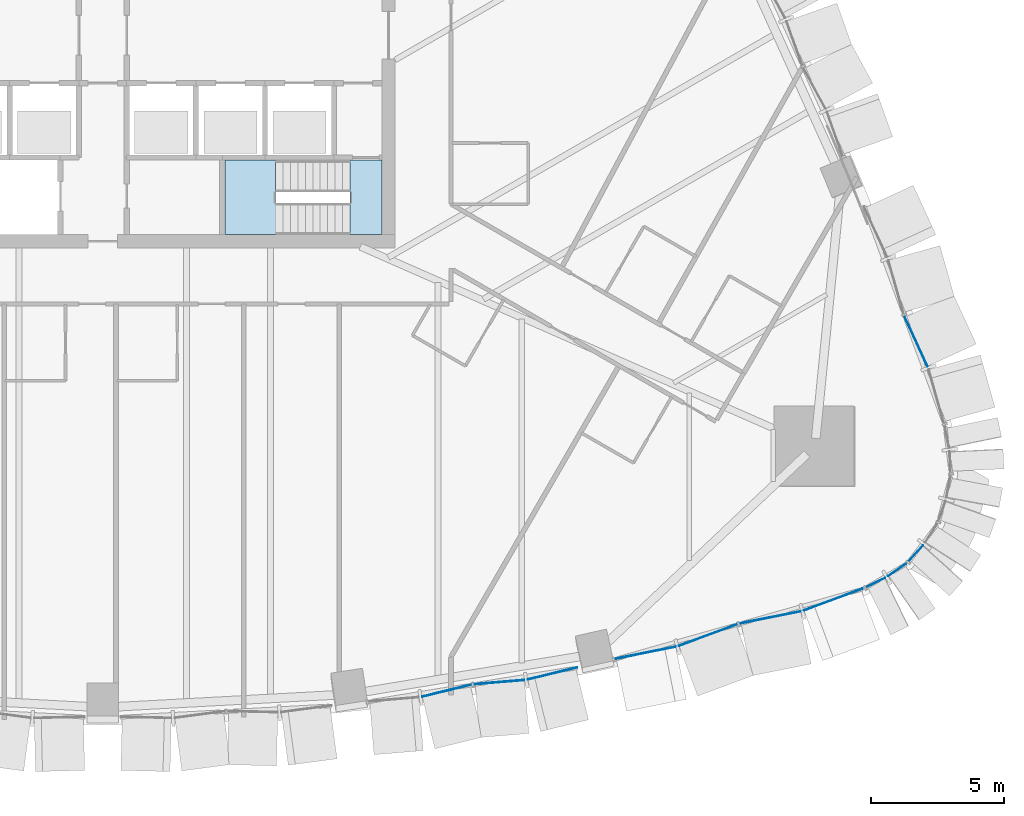
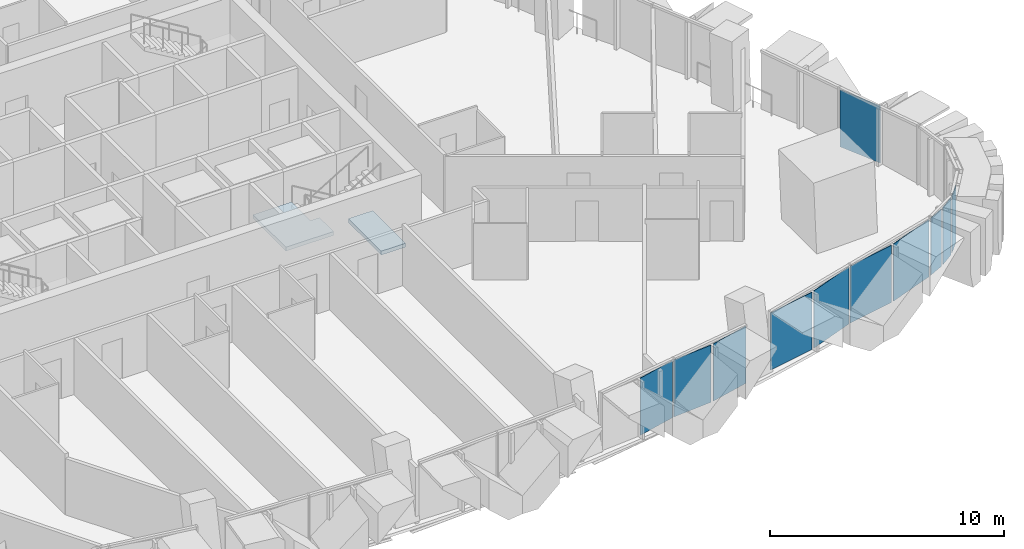
# One storey, part 10 of 22: 11 plates, 2 slabs, 6 elements without a shape of their own.
"""IFC4 building model written with IfcOpenShell, lengths in metres."""

from ifc_helpers import new_model, si_unit, direction, frame, origin, place, context, subcontext, project, spatial, polyline, outline, extrude, material, layer, layer_set, type_object, element, aggregate, save


model = new_model("IFC4")

# Units and contexts
model_context = context("Model", 3, precision=1e-05, world=origin(), true_north=direction((0.0, 1.0)))
body_context = subcontext(model_context, "Body", "Model", "MODEL_VIEW")
ifc_project = project(units=[si_unit("LENGTHUNIT", "METRE"), si_unit("AREAUNIT", "SQUARE_METRE"), si_unit("VOLUMEUNIT", "CUBIC_METRE"), si_unit("PLANEANGLEUNIT", "RADIAN"), si_unit("MASSUNIT", "GRAM", prefix="KILO")], contexts=[model_context])

# Site, building, storey
site_placement = place(None, origin())
site = spatial("IfcSite", under=ifc_project, at=site_placement, CompositionType="ELEMENT")
building_placement = place(site_placement, origin())
building = spatial("IfcBuilding", under=site, at=building_placement, Name="Sierra Prisma Convention Tower", CompositionType="ELEMENT")
storey_placement = place(building_placement, frame((0.0, 0.0, 62.800048828125)))
storey = spatial("IfcBuildingStorey", under=building, at=storey_placement, Name="L11", CompositionType="ELEMENT", Elevation=62.800048828125)

# Curtain wall, plates
ifc_material_1 = material(Name="Aluminium and glass curtain wall", Category="aluminium")
ifc_layer_1 = layer(ifc_material_1, 0.179931640625)
ifc_layer_set_1 = layer_set([ifc_layer_1], Name="CW-2 Faceted crystal curtain wall")
curtain_wall_type = type_object("IfcCurtainWallType", Name="CW-2 Faceted crystal curtain wall", PredefinedType="NOTDEFINED", material=ifc_layer_set_1)
curtain_wall_1_placement = place(storey_placement, origin())
curtain_wall_1 = element("IfcCurtainWall", 1, at=curtain_wall_1_placement, inside=storey, type_object=curtain_wall_type, Name="CW-2 S5 L11", PredefinedType="NOTDEFINED")
ifc_material_2 = material(Name="Tinted glass bronze-grey IGU", Category="glass")
ifc_layer_2 = layer(ifc_material_2, 0.028076171875)
ifc_layer_set_2 = layer_set([ifc_layer_2], Name="CW-2 crystal pane")
plate_type = type_object("IfcPlateType", Name="CW-2 crystal pane", PredefinedType="CURTAIN_PANEL", material=ifc_layer_set_2)
plate_1_placement = place(storey_placement, frame((13.882080078125, -24.438720703125, 0.0), z_axis=(0.23744241739, -0.971401615411, 0.0), x_axis=(-0.971401615411, -0.23744241739, 0.0)))
plate_1 = element("IfcPlate", 2, at=plate_1_placement, type_object=plate_type, Name="CW-2 pane S5.1.2", PredefinedType="CURTAIN_PANEL", context=body_context, shape_type="SweptSolid", body=[
    extrude(outline(polyline([(0.0, 0.0), (1.9186395221925834, 0.0), (1.9186395221925834, -2.97998046875), (0.0, -2.97998046875), (0.0, 0.0)])), origin(), (0.0, 0.0, -1.0), 0.028076171875),
])
plate_2_placement = place(storey_placement, frame((13.951171875, -24.427490234375, 0.0), z_axis=(0.082718987721, -0.996572912069, 0.0), x_axis=(0.996572912069, 0.082718987721, 0.0)))
plate_2 = element("IfcPlate", 3, at=plate_2_placement, type_object=plate_type, Name="CW-2 pane S5.2.1", PredefinedType="CURTAIN_PANEL", context=body_context, shape_type="SweptSolid", body=[
    extrude(outline(polyline([(0.0, 0.0), (1.9184398965902936, 0.0), (1.9184398965902936, 2.97998046875), (0.0, 2.97998046875), (0.0, 0.0)])), origin(), (0.0, 0.0, -1.0), 0.028076171875),
])
plate_3_placement = place(storey_placement, frame((17.854736328125, -23.79248046875, 0.0), z_axis=(0.23744241739, -0.971401615411, 0.0), x_axis=(-0.971401615411, -0.23744241739, 0.0)))
plate_3 = element("IfcPlate", 4, at=plate_3_placement, type_object=plate_type, Name="CW-2 pane S5.2.2", PredefinedType="CURTAIN_PANEL", context=body_context, shape_type="SweptSolid", body=[
    extrude(outline(polyline([(0.0, 0.0), (1.9186395221925834, 0.0), (1.9186395221925834, -2.97998046875), (0.0, -2.97998046875), (0.0, 0.0)])), origin(), (0.0, 0.0, -1.0), 0.028076171875),
])
aggregate(curtain_wall_1, [plate_1, plate_2, plate_3])

curtain_wall_2_placement = place(storey_placement, origin())
curtain_wall_2 = element("IfcCurtainWall", 5, at=curtain_wall_2_placement, inside=storey, type_object=curtain_wall_type, Name="CW-2 S6 L11", PredefinedType="NOTDEFINED")
plate_4_placement = place(storey_placement, frame((19.252197265625, -23.476318359375, 0.0), z_axis=(0.196295985228, -0.980544688519, 0.0), x_axis=(0.980544688519, 0.196295985228, 0.0)))
plate_4 = element("IfcPlate", 6, at=plate_4_placement, type_object=plate_type, Name="CW-2 pane S6.1.1", PredefinedType="CURTAIN_PANEL", context=body_context, shape_type="SweptSolid", body=[
    extrude(outline(polyline([(0.0, 0.0), (2.349419628164942, 0.0), (2.349419628164942, 2.97998046875), (0.0, 2.97998046875), (0.0, 0.0)])), origin(), (0.0, 0.0, -1.0), 0.028076171875),
])
plate_5_placement = place(storey_placement, frame((23.8837890625, -22.1640625, 0.0), z_axis=(0.347168825192, -0.937802648117, 0.0), x_axis=(-0.937802648117, -0.347168825192, 0.0)))
plate_5 = element("IfcPlate", 7, at=plate_5_placement, type_object=plate_type, Name="CW-2 pane S6.1.2", PredefinedType="CURTAIN_PANEL", context=body_context, shape_type="SweptSolid", body=[
    extrude(outline(polyline([(0.0, 0.0), (2.3495019395068915, 0.0), (2.3495019395068915, -2.9799804687500004), (0.0, -2.9799804687500004), (0.0, 0.0)])), origin(), (0.0, 0.0, -1.0), 0.028076171875),
])
plate_6_placement = place(storey_placement, frame((23.951171875, -22.14501953125, 0.0), z_axis=(0.196295985228, -0.980544688519, 0.0), x_axis=(0.980544688519, 0.196295985228, 0.0)))
plate_6 = element("IfcPlate", 8, at=plate_6_placement, type_object=plate_type, Name="CW-2 pane S6.2.1", PredefinedType="CURTAIN_PANEL", context=body_context, shape_type="SweptSolid", body=[
    extrude(outline(polyline([(0.0, 0.0), (2.349419628164942, 0.0), (2.349419628164942, 2.97998046875), (0.0, 2.97998046875), (0.0, 0.0)])), origin(), (0.0, 0.0, -1.0), 0.028076171875),
])
plate_7_placement = place(storey_placement, frame((28.582763671875, -20.832763671875, 0.0), z_axis=(0.347168825192, -0.937802648117, 0.0), x_axis=(-0.937802648117, -0.347168825192, 0.0)))
plate_7 = element("IfcPlate", 9, at=plate_7_placement, type_object=plate_type, Name="CW-2 pane S6.2.2", PredefinedType="CURTAIN_PANEL", context=body_context, shape_type="SweptSolid", body=[
    extrude(outline(polyline([(0.0, 0.0), (2.3495019395068915, 0.0), (2.3495019395068915, -2.9799804687500004), (0.0, -2.9799804687500004), (0.0, 0.0)])), origin(), (0.0, 0.0, -1.0), 0.028076171875),
])
aggregate(curtain_wall_2, [plate_4, plate_5, plate_6, plate_7])

curtain_wall_3_placement = place(storey_placement, origin())
curtain_wall_3 = element("IfcCurtainWall", 10, at=curtain_wall_3_placement, inside=storey, type_object=curtain_wall_type, Name="CW-2 SE1 L11", PredefinedType="NOTDEFINED")
plate_8_placement = place(storey_placement, frame((28.71044921875, -20.778076171875, 0.0), z_axis=(0.437202840872, -0.899362927818, 0.0), x_axis=(0.899362927818, 0.437202840872, 0.0)))
plate_8 = element("IfcPlate", 11, at=plate_8_placement, type_object=plate_type, Name="CW-2 pane SE1.1.1", PredefinedType="CURTAIN_PANEL", context=body_context, shape_type="SweptSolid", body=[
    extrude(outline(polyline([(0.0, 0.0), (0.8119354120438652, 0.0), (0.8119354120438652, 2.97998046875), (0.0, 2.97998046875), (0.0, 0.0)])), origin(), (0.0, 0.0, -1.0), 0.028076171875),
])
plate_9_placement = place(storey_placement, frame((30.21826171875, -19.892578125, 0.0), z_axis=(0.572473150502, -0.819923467132, 0.0), x_axis=(-0.819923467132, -0.572473150502, 0.0)))
plate_9 = element("IfcPlate", 12, at=plate_9_placement, type_object=plate_type, Name="CW-2 pane SE1.1.2", PredefinedType="CURTAIN_PANEL", context=body_context, shape_type="SweptSolid", body=[
    extrude(outline(polyline([(0.0, 0.0), (0.8119922298402575, 0.0), (0.8119922298402575, -2.97998046875), (0.0, -2.97998046875), (0.0, 0.0)])), origin(), (0.0, 0.0, -1.0), 0.028076171875),
])
aggregate(curtain_wall_3, [plate_8, plate_9])

# Curtain wall, plate
curtain_wall_4_placement = place(storey_placement, origin())
curtain_wall_4 = element("IfcCurtainWall", 13, at=curtain_wall_4_placement, inside=storey, type_object=curtain_wall_type, Name="CW-2 SE2 L11", PredefinedType="NOTDEFINED")
plate_10_placement = place(storey_placement, frame((30.321044921875, -19.80126953125, 0.0), z_axis=(0.745398574275, -0.666619055735, 0.0), x_axis=(0.666619055735, 0.745398574275, 0.0)))
plate_10 = element("IfcPlate", 14, at=plate_10_placement, type_object=plate_type, Name="CW-2 pane SE2.1.1", PredefinedType="CURTAIN_PANEL", context=body_context, shape_type="SweptSolid", body=[
    extrude(outline(polyline([(0.0, 0.0), (0.8119476348124621, 0.0), (0.8119476348124621, 2.97998046875), (0.0, 2.97998046875), (0.0, 0.0)])), origin(), (0.0, 0.0, -1.0), 0.028076171875),
])
aggregate(curtain_wall_4, [plate_10])

curtain_wall_5_placement = place(storey_placement, origin())
curtain_wall_5 = element("IfcCurtainWall", 15, at=curtain_wall_5_placement, inside=storey, type_object=curtain_wall_type, Name="CW-2 NE1 L11", PredefinedType="NOTDEFINED")
plate_11_placement = place(storey_placement, frame((30.15966796875, -10.5419921875, 0.0), z_axis=(0.908183853426, 0.418571485384, 0.0), x_axis=(0.418571485384, -0.908183853426, 0.0)))
plate_11 = element("IfcPlate", 16, at=plate_11_placement, type_object=plate_type, Name="CW-2 pane NE1.1.2", PredefinedType="CURTAIN_PANEL", context=body_context, shape_type="SweptSolid", body=[
    extrude(outline(polyline([(0.0, 0.0), (2.0997757388895852, 0.0), (2.0997757388895852, -2.97998046875), (0.0, -2.97998046875), (0.0, 0.0)])), origin(), (0.0, 0.0, -1.0), 0.028076171875),
])
aggregate(curtain_wall_5, [plate_11])

# Stair, slab
ifc_material_3 = material(Name="Concrete C30/37", Category="concrete")
stair_type = type_object("IfcStairType", Name="Stair dog-leg 1200 RC", PredefinedType="HALF_TURN_STAIR", material=ifc_material_3)
stair_placement = place(storey_placement, origin())
stair = element("IfcStair", 17, at=stair_placement, inside=storey, type_object=stair_type, Name="L11 S2", PredefinedType="HALF_TURN_STAIR")
ifc_material_4 = material(Name="Concrete C35/45", Category="concrete")
ifc_layer_3 = layer(ifc_material_4, 0.199951171875)
ifc_layer_set_3 = layer_set([ifc_layer_3], Name="Stair landing slab")
slab_type = type_object("IfcSlabType", Name="Stair landing slab", PredefinedType="LANDING", material=ifc_layer_set_3)
slab_1_placement = place(storey_placement, frame((0.0, 0.0, 1.64990234375)))
slab_1 = element("IfcSlab", 18, at=slab_1_placement, type_object=slab_type, Name="S2 landing 1", PredefinedType="LANDING", context=body_context, shape_type="SweptSolid", body=[
    extrude(outline(polyline([(6.949951171875, -6.300048828125), (6.949951171875, -7.5), (4.60009765625, -7.5), (4.60009765625, -4.699951171875), (6.501953125, -4.699951171875), (6.501953125, -6.300048828125), (6.949951171875, -6.300048828125)])), origin(), (0.0, 0.0, 1.0), 0.199951171875),
])
aggregate(stair, [slab_1])

# Slab
slab_2_placement = place(storey_placement, frame((0.0, 0.0, -0.199951171875)))
element("IfcSlab", 19, at=slab_2_placement, inside=storey, type_object=slab_type, Name="S2 floor landing L11", PredefinedType="LANDING", context=body_context, shape_type="SweptSolid", body=[
    extrude(outline(polyline([(10.5, -4.699951171875), (9.298095703125, -4.699951171875), (9.298095703125, -7.5), (10.5, -7.5), (10.5, -4.699951171875)])), origin(), (0.0, 0.0, 1.0), 0.199951171875),
])

save(model, "model.ifc")
